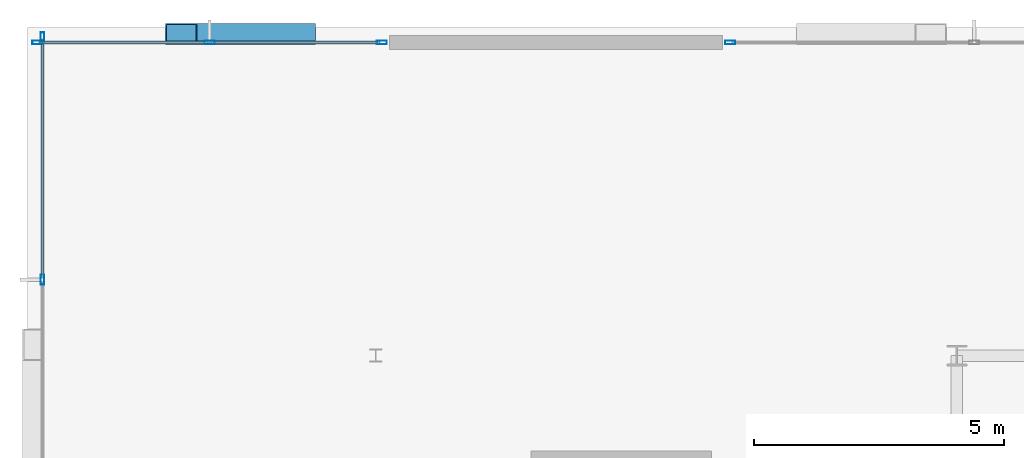
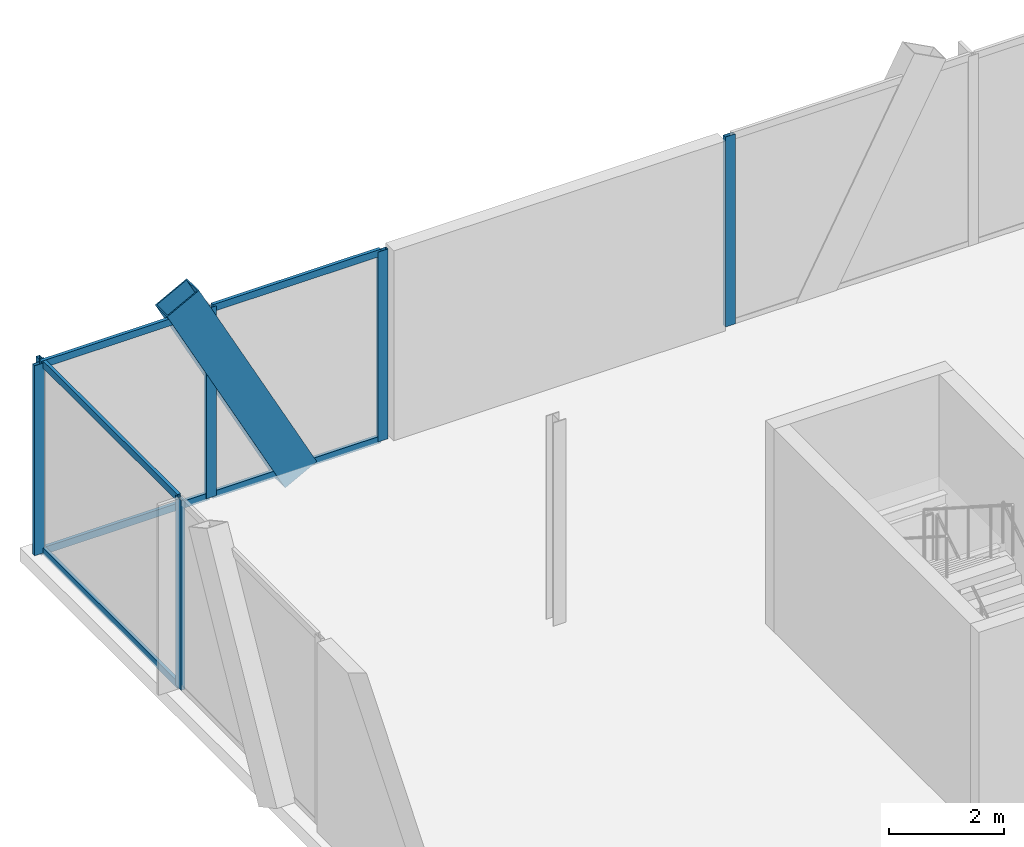
# One storey, part 25 of 42: 13 members, 3 elements without a shape of their own.
"""IFC4 building model written with IfcOpenShell, lengths in metres."""

from ifc_helpers import new_model, si_unit, direction, frame, origin, origin_2d, place, context, subcontext, project, spatial, hollow_rectangle, extrude, material, layer, layer_set, material_profile, profile_set, type_object, element, aggregate, save


model = new_model("IFC4")

# Units and contexts
model_context = context("Model", 3, precision=1e-05, world=origin(), true_north=direction((0.0, 1.0)))
body_context = subcontext(model_context, "Body", "Model", "MODEL_VIEW")
ifc_project = project(units=[si_unit("LENGTHUNIT", "METRE"), si_unit("AREAUNIT", "SQUARE_METRE"), si_unit("VOLUMEUNIT", "CUBIC_METRE"), si_unit("PLANEANGLEUNIT", "RADIAN"), si_unit("MASSUNIT", "GRAM", prefix="KILO")], contexts=[model_context])

# Site, building, storey
site_placement = place(None, origin())
site = spatial("IfcSite", under=ifc_project, at=site_placement, CompositionType="ELEMENT")
building_placement = place(site_placement, origin())
building = spatial("IfcBuilding", under=site, at=building_placement, Name="Orvanel Arch Residences", CompositionType="ELEMENT")
storey_placement = place(building_placement, frame((0.0, 0.0, 9.800048828125)))
storey = spatial("IfcBuildingStorey", under=building, at=storey_placement, Name="L02", CompositionType="ELEMENT", Elevation=9.800048828125)

# Member
ifc_material_1 = material(Name="Structural steel AS/NZS 3678 Grade 350", Category="steel")
ifc_material_profile_1 = material_profile(ifc_material_1, hollow_rectangle(XDim=0.419921875, YDim=0.719970703125, WallThickness=0.02490234375, at=origin_2d()), Name="RHS720x420x25")
ifc_profile_set_1 = profile_set([ifc_material_profile_1], Name="Structural steel AS/NZS 3678 Grade 350")
member_type_1 = type_object("IfcMemberType", Name="BR-720RHS-EXT", PredefinedType="BRACE", material=ifc_profile_set_1)
member_1_placement = place(storey_placement, frame((6.679931640625, 54.419921875, -0.150146484375), z_axis=(-0.468640172813, 0.0, 0.883389148918), x_axis=(0.0, -1.0, 0.0)))
element("IfcMember", 1, at=member_1_placement, inside=storey, type_object=member_type_1, Name="L02 Podium Multi-Storey V-Strut Pair N1 Leg 1", PredefinedType="BRACE", context=body_context, shape_type="SweptSolid", body=[
    extrude(hollow_rectangle(XDim=0.419921875, YDim=0.719970703125, WallThickness=0.02490234375, at=origin_2d()), origin(), (0.0, 0.0, 1.0), 5.03759765625),
])

# Curtain wall, member
ifc_material_2 = material(Name="Bronze-anodised aluminium AA6063-T6", Category="aluminium")
ifc_layer = layer(ifc_material_2, 0.199951171875)
ifc_layer_set = layer_set([ifc_layer], Name="Bronze-anodised aluminium AA6063-T6")
curtain_wall_type = type_object("IfcCurtainWallType", Name="CW1-POD-SYS", PredefinedType="NOTDEFINED", material=ifc_layer_set)
curtain_wall_1_placement = place(storey_placement, origin())
curtain_wall_1 = element("IfcCurtainWall", 2, at=curtain_wall_1_placement, inside=storey, type_object=curtain_wall_type, Name="L02 CW1-POD-SYS Unitised Curtain Wall", PredefinedType="NOTDEFINED")
ifc_material_profile_2 = material_profile(ifc_material_2, hollow_rectangle(XDim=0.074951171875, YDim=0.199951171875, WallThickness=0.0048828125, at=origin_2d()), Name="ALU200x75x5")
ifc_profile_set_2 = profile_set([ifc_material_profile_2], Name="Bronze-anodised aluminium AA6063-T6")
member_type_2 = type_object("IfcMemberType", Name="MUL-200x75", PredefinedType="MULLION", material=ifc_profile_set_2)
member_2_placement = place(storey_placement, frame((15.277587890625, 54.25, 0.0), z_axis=(0.0, 0.0, 1.0), x_axis=(0.0, -1.0, 0.0)))
member_2 = element("IfcMember", 3, at=member_2_placement, type_object=member_type_2, Name="CW-S1 mullion 4", PredefinedType="MULLION", context=body_context, shape_type="SweptSolid", body=[
    extrude(hollow_rectangle(XDim=0.074951171875, YDim=0.199951171875, WallThickness=0.0048828125, at=origin_2d()), origin(), (0.0, 0.0, 1.0), 4.02001953125),
])
aggregate(curtain_wall_1, [member_2])

# Curtain wall, members
curtain_wall_2_placement = place(storey_placement, origin())
curtain_wall_2 = element("IfcCurtainWall", 4, at=curtain_wall_2_placement, inside=storey, type_object=curtain_wall_type, Name="L02 CW1-POD-SYS Unitised Curtain Wall", PredefinedType="NOTDEFINED")
member_3_placement = place(storey_placement, frame((8.322509765625, 54.25, 0.0), z_axis=(0.0, 0.0, 1.0), x_axis=(0.0, -1.0, 0.0)))
member_3 = element("IfcMember", 5, at=member_3_placement, type_object=member_type_2, Name="CW-S1 mullion 1", PredefinedType="MULLION", context=body_context, shape_type="SweptSolid", body=[
    extrude(hollow_rectangle(XDim=0.074951171875, YDim=0.199951171875, WallThickness=0.0048828125, at=origin_2d()), origin(), (0.0, 0.0, 1.0), 4.02001953125),
])
member_4_placement = place(storey_placement, frame((4.885009765625, 54.25, 0.0), z_axis=(0.0, 0.0, 1.0), x_axis=(0.0, -1.0, 0.0)))
member_4 = element("IfcMember", 6, at=member_4_placement, type_object=member_type_2, Name="CW-S1 mullion 2", PredefinedType="MULLION", context=body_context, shape_type="SweptSolid", body=[
    extrude(hollow_rectangle(XDim=0.074951171875, YDim=0.199951171875, WallThickness=0.0048828125, at=origin_2d()), origin(), (0.0, 0.0, 1.0), 4.02001953125),
])
member_5_placement = place(storey_placement, frame((1.447509765625, 54.25, 0.0), z_axis=(0.0, 0.0, 1.0), x_axis=(0.0, -1.0, 0.0)))
member_5 = element("IfcMember", 7, at=member_5_placement, type_object=member_type_2, Name="CW-S1 mullion 3", PredefinedType="MULLION", context=body_context, shape_type="SweptSolid", body=[
    extrude(hollow_rectangle(XDim=0.074951171875, YDim=0.199951171875, WallThickness=0.0048828125, at=origin_2d()), origin(), (0.0, 0.0, 1.0), 4.02001953125),
])

curtain_wall_3_placement = place(storey_placement, origin())
curtain_wall_3 = element("IfcCurtainWall", 8, at=curtain_wall_3_placement, inside=storey, type_object=curtain_wall_type, Name="L02 CW1-POD-SYS Unitised Curtain Wall", PredefinedType="NOTDEFINED")
member_6_placement = place(storey_placement, frame((1.550048828125, 54.3525390625, 0.0), z_axis=(0.0, 0.0, 1.0), x_axis=(1.0, 0.0, 0.0)))
member_6 = element("IfcMember", 9, at=member_6_placement, type_object=member_type_2, Name="CW-S1 mullion 1", PredefinedType="MULLION", context=body_context, shape_type="SweptSolid", body=[
    extrude(hollow_rectangle(XDim=0.074951171875, YDim=0.199951171875, WallThickness=0.0048828125, at=origin_2d()), origin(), (0.0, 0.0, 1.0), 4.02001953125),
])
member_7_placement = place(storey_placement, frame((1.550048828125, 49.514892578125, 0.0), z_axis=(0.0, 0.0, 1.0), x_axis=(1.0, 0.0, 0.0)))
member_7 = element("IfcMember", 10, at=member_7_placement, type_object=member_type_2, Name="CW-S1 mullion 2", PredefinedType="MULLION", context=body_context, shape_type="SweptSolid", body=[
    extrude(hollow_rectangle(XDim=0.074951171875, YDim=0.199951171875, WallThickness=0.0048828125, at=origin_2d()), origin(), (0.0, 0.0, 1.0), 4.02001953125),
])

# Member
ifc_material_profile_3 = material_profile(ifc_material_2, hollow_rectangle(XDim=0.06494140625, YDim=0.14990234375, WallThickness=0.00390625, at=origin_2d()), Name="ALU150x65x4")
ifc_profile_set_3 = profile_set([ifc_material_profile_3], Name="Bronze-anodised aluminium AA6063-T6")
member_type_3 = type_object("IfcMemberType", Name="TRN-150x65", PredefinedType="USERDEFINED", material=ifc_profile_set_3)
member_8_placement = place(storey_placement, frame((8.284912109375, 54.25, 0.032470703125), z_axis=(-1.0, 0.0, 0.0), x_axis=(0.0, -1.0, 0.0)))
member_8 = element("IfcMember", 11, at=member_8_placement, type_object=member_type_3, Name="CW-S1 transom 1.1", ObjectType="TRANSOM", PredefinedType="USERDEFINED", context=body_context, shape_type="SweptSolid", body=[
    extrude(hollow_rectangle(XDim=0.06494140625, YDim=0.14990234375, WallThickness=0.00390625, at=origin_2d()), origin(), (0.0, 0.0, 1.0), 3.3623046875),
])

member_9_placement = place(storey_placement, frame((8.284912109375, 54.25, 3.987548828125), z_axis=(-1.0, 0.0, 0.0), x_axis=(0.0, -1.0, 0.0)))
member_9 = element("IfcMember", 12, at=member_9_placement, type_object=member_type_3, Name="CW-S1 transom 1.2", ObjectType="TRANSOM", PredefinedType="USERDEFINED", context=body_context, shape_type="SweptSolid", body=[
    extrude(hollow_rectangle(XDim=0.06494140625, YDim=0.14990234375, WallThickness=0.00390625, at=origin_2d()), origin(), (0.0, 0.0, 1.0), 3.3623046875),
])

member_10_placement = place(storey_placement, frame((4.847412109375, 54.25, 0.032470703125), z_axis=(-1.0, 0.0, 0.0), x_axis=(0.0, -1.0, 0.0)))
member_10 = element("IfcMember", 13, at=member_10_placement, type_object=member_type_3, Name="CW-S1 transom 2.1", ObjectType="TRANSOM", PredefinedType="USERDEFINED", context=body_context, shape_type="SweptSolid", body=[
    extrude(hollow_rectangle(XDim=0.06494140625, YDim=0.14990234375, WallThickness=0.00390625, at=origin_2d()), origin(), (0.0, 0.0, 1.0), 3.3623046875),
])

member_11_placement = place(storey_placement, frame((4.847412109375, 54.25, 3.987548828125), z_axis=(-1.0, 0.0, 0.0), x_axis=(0.0, -1.0, 0.0)))
member_11 = element("IfcMember", 14, at=member_11_placement, type_object=member_type_3, Name="CW-S1 transom 2.2", ObjectType="TRANSOM", PredefinedType="USERDEFINED", context=body_context, shape_type="SweptSolid", body=[
    extrude(hollow_rectangle(XDim=0.06494140625, YDim=0.14990234375, WallThickness=0.00390625, at=origin_2d()), origin(), (0.0, 0.0, 1.0), 3.3623046875),
])

aggregate(curtain_wall_2, [member_3, member_4, member_5, member_8, member_9, member_10, member_11])

member_12_placement = place(storey_placement, frame((1.550048828125, 54.31494140625, 0.032470703125), z_axis=(0.0, -1.0, 0.0), x_axis=(1.0, 0.0, 0.0)))
member_12 = element("IfcMember", 15, at=member_12_placement, type_object=member_type_3, Name="CW-S1 transom 1.1", ObjectType="TRANSOM", PredefinedType="USERDEFINED", context=body_context, shape_type="SweptSolid", body=[
    extrude(hollow_rectangle(XDim=0.06494140625, YDim=0.14990234375, WallThickness=0.00390625, at=origin_2d()), origin(), (0.0, 0.0, 1.0), 4.762451171875),
])

member_13_placement = place(storey_placement, frame((1.550048828125, 54.31494140625, 3.987548828125), z_axis=(0.0, -1.0, 0.0), x_axis=(1.0, 0.0, 0.0)))
member_13 = element("IfcMember", 16, at=member_13_placement, type_object=member_type_3, Name="CW-S1 transom 1.2", ObjectType="TRANSOM", PredefinedType="USERDEFINED", context=body_context, shape_type="SweptSolid", body=[
    extrude(hollow_rectangle(XDim=0.06494140625, YDim=0.14990234375, WallThickness=0.00390625, at=origin_2d()), origin(), (0.0, 0.0, 1.0), 4.762451171875),
])

aggregate(curtain_wall_3, [member_6, member_7, member_12, member_13])

save(model, "model.ifc")
